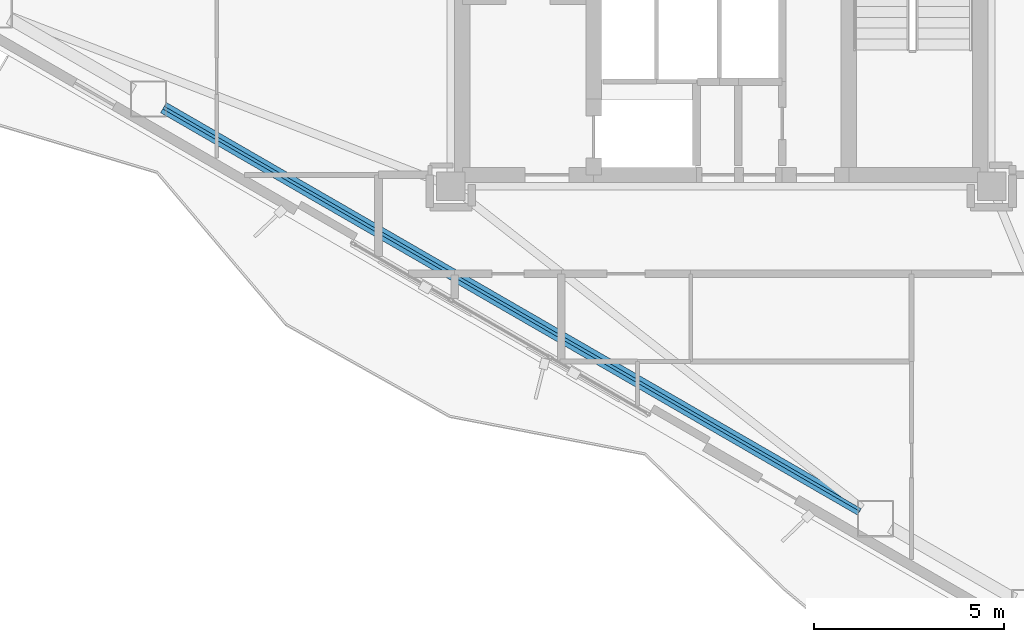
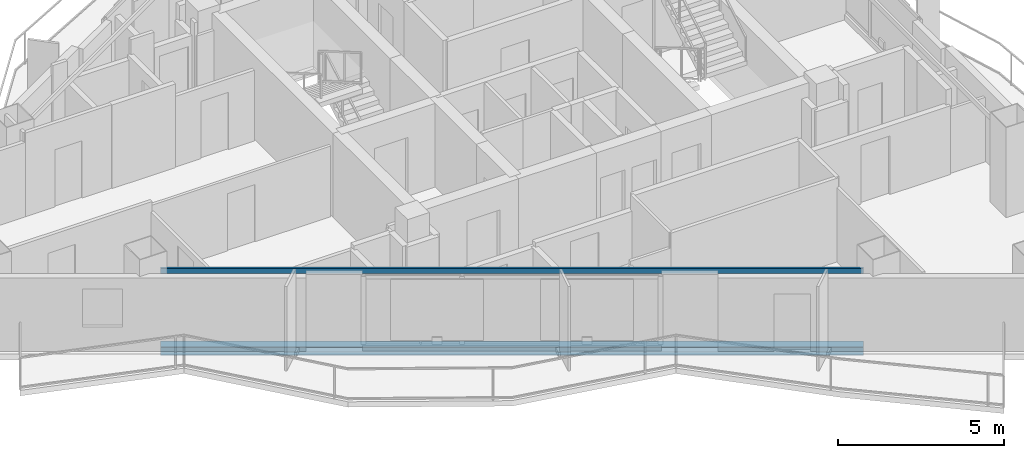
# One storey, part 3 of 22: 2 beams.
"""IFC4 building model written with IfcOpenShell, lengths in metres."""

import ifcopenshell
import ifcopenshell.guid

model = None  # the IFC model being written
_history = None  # IfcOwnerHistory: only IFC2X3 demands one
_inside = {}  # id of a spatial element -> (the spatial element, [elements in it])
_under = {}  # id of a project, library or spatial element -> (it, [spatial elements below it])
_declared = {}  # id of a project -> (the project, [libraries it declares])
_typed = {}  # id of a type object -> (the type object, [elements of that type])
_made_of = {}  # id of a material, layer set ... -> (it, [elements and type objects made of it])


def new_model(schema):
    """Start an empty IFC model of exactly this schema.

    Asked for "IFC4X3", IfcOpenShell would pick the latest addendum, in which some entities
    have other attributes; the version numbers below select the first issue.
    IFC2X3 requires an IfcOwnerHistory on every rooted entity: one is made here for all.
    """
    global model, _history
    if schema == "IFC4X3":
        model = ifcopenshell.file(schema_version=(4, 3, 0, 0))
    else:
        model = ifcopenshell.file(schema=schema)
    _inside.clear()
    _under.clear()
    _declared.clear()
    _typed.clear()
    _made_of.clear()
    _history = None
    if model.schema == "IFC2X3":
        org = make("IfcOrganization", Name="unknown")
        user = make(
            "IfcPersonAndOrganization",
            ThePerson=make("IfcPerson", FamilyName="unknown"),
            TheOrganization=org,
        )
        app = make(
            "IfcApplication",
            ApplicationDeveloper=org,
            Version="unknown",
            ApplicationFullName="unknown",
            ApplicationIdentifier="unknown",
        )
        _history = make(
            "IfcOwnerHistory",
            OwningUser=user,
            OwningApplication=app,
            ChangeAction="ADDED",
            CreationDate=0,
        )
    return model


def make(cls, **values):
    """One entity of the class cls with the attributes given. An attribute that is None is left unset."""
    return model.create_entity(
        cls, **{name: value for name, value in values.items() if value is not None}
    )


def rooted(cls, **values):
    """An entity with a GlobalId (a new one), such as an element, a storey or a relation."""
    return make(cls, GlobalId=ifcopenshell.guid.new(), OwnerHistory=_history, **values)


def si_unit(unit_type, name, prefix=None):
    """IfcSIUnit, for example si_unit("LENGTHUNIT", "METRE", prefix="MILLI")."""
    return make("IfcSIUnit", UnitType=unit_type, Prefix=prefix, Name=name)


def assignment(units):
    """IfcUnitAssignment: the units of a project."""
    return None if units is None else make("IfcUnitAssignment", Units=units)


def point(xyz):
    """IfcCartesianPoint."""
    return None if xyz is None else make("IfcCartesianPoint", Coordinates=xyz)


def direction(xyz):
    """IfcDirection."""
    return None if xyz is None else make("IfcDirection", DirectionRatios=xyz)


def frame(location, z_axis=None, x_axis=None):
    """IfcAxis2Placement3D, a coordinate frame: its origin and axes. An axis left out is left unset."""
    return make(
        "IfcAxis2Placement3D",
        Location=point(location),
        Axis=direction(z_axis),
        RefDirection=direction(x_axis),
    )


def frame_2d(location, x_axis=None):
    """IfcAxis2Placement2D, a coordinate frame in the plane: its origin and x axis."""
    return make(
        "IfcAxis2Placement2D", Location=point(location), RefDirection=direction(x_axis)
    )


def origin():
    """The frame at (0, 0, 0) with its axes left unset."""
    return frame((0.0, 0.0, 0.0))


def origin_2d():
    """The frame at (0, 0) in the plane with its x axis left unset."""
    return frame_2d((0.0, 0.0))


def place(relative_to, where):
    """IfcLocalPlacement: puts the frame where relative to a parent placement (None: the world)."""
    return make(
        "IfcLocalPlacement", PlacementRelTo=relative_to, RelativePlacement=where
    )


def context(
    kind, dimensions, precision=None, world=None, true_north=None, identifier=None
):
    """IfcGeometricRepresentationContext, for example the 3D "Model" context."""
    return make(
        "IfcGeometricRepresentationContext",
        ContextIdentifier=identifier,
        ContextType=kind,
        CoordinateSpaceDimension=dimensions,
        Precision=precision,
        WorldCoordinateSystem=world,
        TrueNorth=true_north,
    )


def subcontext(parent, identifier, kind, view, scale=None):
    """IfcGeometricRepresentationSubContext, for example "Body" below "Model"."""
    return make(
        "IfcGeometricRepresentationSubContext",
        ContextIdentifier=identifier,
        ContextType=kind,
        ParentContext=parent,
        TargetScale=scale,
        TargetView=view,
    )


def project(units=None, contexts=None):
    """IfcProject with its units and contexts."""
    return rooted(
        "IfcProject",
        Name="project",
        RepresentationContexts=contexts,
        UnitsInContext=assignment(units),
    )


def spatial(cls, under=None, at=None, **own):
    """A site, building, storey or space (cls), placed at a placement, below another one or the project."""
    s = rooted(cls, ObjectPlacement=at, **own)
    if under is not None:
        _under.setdefault(under.id(), (under, []))[1].append(s)
    return s


def profile(cls, at=None, kind="AREA", **sizes):
    """A parametric profile (cls). Its sizes go by their IFC names, for example OverallWidth=200.0."""
    return make(cls, ProfileType=kind, Position=at, **sizes)


def hollow_rectangle(**sizes):
    """IfcRectangleHollowProfileDef."""
    return profile("IfcRectangleHollowProfileDef", **sizes)


def i_section(**sizes):
    """IfcIShapeProfileDef."""
    return profile("IfcIShapeProfileDef", **sizes)


def extrude(swept, where, along, depth):
    """IfcExtrudedAreaSolid: the profile swept, set in the frame where, extruded along a direction by depth."""
    return make(
        "IfcExtrudedAreaSolid",
        SweptArea=swept,
        Position=where,
        ExtrudedDirection=direction(along),
        Depth=depth,
    )


def shape(context_of_items, identifier, shape_type, items):
    """IfcShapeRepresentation: the items that make up one representation, for example the "Body"."""
    return make(
        "IfcShapeRepresentation",
        ContextOfItems=context_of_items,
        RepresentationIdentifier=identifier,
        RepresentationType=shape_type,
        Items=items,
    )


def material(Name=None, Category=None):
    """IfcMaterial."""
    return make("IfcMaterial", Name=Name, Category=Category)


def material_profile(
    of_material, cross_section, Name=None, Category=None, Priority=None
):
    """IfcMaterialProfile: a cross section and its material."""
    return make(
        "IfcMaterialProfile",
        Name=Name,
        Material=of_material,
        Profile=cross_section,
        Priority=Priority,
        Category=Category,
    )


def profile_set(profiles, Name=None, composite=None):
    """IfcMaterialProfileSet."""
    return make(
        "IfcMaterialProfileSet",
        Name=Name,
        MaterialProfiles=profiles,
        CompositeProfile=composite,
    )


def made_of(thing, what):
    """Note that an element or type object is made of a material, layer set ...; save() writes the relation."""
    if what is not None:
        _made_of.setdefault(what.id(), (what, []))[1].append(thing)
    return thing


def type_object(cls, material=None, **own):
    """A type object (cls), such as IfcWallType, which elements share."""
    return made_of(rooted(cls, **own), material)


def element(
    cls,
    number,
    at=None,
    inside=None,
    cuts=None,
    type_object=None,
    material=None,
    context=None,
    identifier="Body",
    shape_type=None,
    held_by="IfcProductDefinitionShape",
    body=None,
    shapes=None,
    **own,
):
    """One element of the class cls, such as IfcWall. Its Tag is "e" and its number.

    at: its placement. inside: the storey or other place that contains it. cuts: it is an
    opening in that element (IfcRelVoidsElement). A single representation is given by context,
    identifier, shape_type and body (its items); several are given by shapes. held_by: the class
    of the entity that holds the representations. save() writes the other relations.
    """
    e = rooted(cls, Tag="e%d" % number, ObjectPlacement=at, **own)
    if body is not None:
        shapes = [shape(context, identifier, shape_type, body)]
    if shapes is not None:
        e.Representation = make(held_by, Representations=shapes)
    if inside is not None:
        _inside.setdefault(inside.id(), (inside, []))[1].append(e)
    if cuts is not None:
        rooted(
            "IfcRelVoidsElement", RelatingBuildingElement=cuts, RelatedOpeningElement=e
        )
    if type_object is not None:
        _typed.setdefault(type_object.id(), (type_object, []))[1].append(e)
    return made_of(e, material)


def aggregate(whole, parts):
    """IfcRelAggregates: a whole, such as a stair, and the parts it consists of."""
    return rooted("IfcRelAggregates", RelatingObject=whole, RelatedObjects=parts)


def save(model, path):
    """Write the relations noted so far, then the file.

    IfcRelAggregates (storeys below a building ...), IfcRelContainedInSpatialStructure (elements
    in a storey), IfcRelDefinesByType, IfcRelAssociatesMaterial and IfcRelDeclares: one each for
    every whole, place, type object, material and project.
    """
    for whole, parts in _under.values():
        aggregate(whole, parts)
    for where, things in _inside.values():
        rooted(
            "IfcRelContainedInSpatialStructure",
            RelatedElements=things,
            RelatingStructure=where,
        )
    for kind, things in _typed.values():
        rooted("IfcRelDefinesByType", RelatedObjects=things, RelatingType=kind)
    for what, things in _made_of.values():
        rooted("IfcRelAssociatesMaterial", RelatedObjects=things, RelatingMaterial=what)
    for by, libraries in _declared.values():
        rooted("IfcRelDeclares", RelatingContext=by, RelatedDefinitions=libraries)
    model.write(path)


model = new_model("IFC4")

# Units and contexts
model_context = context("Model", 3, precision=1e-05, world=origin(), true_north=direction((0.0, 1.0)))
body_context = subcontext(model_context, "Body", "Model", "MODEL_VIEW")
ifc_project = project(units=[si_unit("LENGTHUNIT", "METRE"), si_unit("AREAUNIT", "SQUARE_METRE"), si_unit("VOLUMEUNIT", "CUBIC_METRE"), si_unit("PLANEANGLEUNIT", "RADIAN"), si_unit("MASSUNIT", "GRAM", prefix="KILO")], contexts=[model_context])

# Site, building, storey
site_placement = place(None, origin())
site = spatial("IfcSite", under=ifc_project, at=site_placement, CompositionType="ELEMENT")
building_placement = place(site_placement, origin())
building = spatial("IfcBuilding", under=site, at=building_placement, Name="Mersakhor Tower and Convention Hall", CompositionType="ELEMENT")
storey_placement = place(building_placement, frame((0.0, 0.0, 188.699951171875)))
storey = spatial("IfcBuildingStorey", under=building, at=storey_placement, Name="L52", CompositionType="ELEMENT", Elevation=188.699951171875)

# Beams
ifc_material_1 = material(Name="Steel S355", Category="steel")
ifc_material_profile_1 = material_profile(ifc_material_1, hollow_rectangle(XDim=0.080078125, YDim=0.179931640625, WallThickness=0.008056640625, at=origin_2d()), Name="RHS 180x80x8")
ifc_profile_set_1 = profile_set([ifc_material_profile_1], Name="Steel S355")
beam_type_1 = type_object("IfcBeamType", Name="BM-GRT-RHS180", PredefinedType="USERDEFINED", material=ifc_profile_set_1)
beam_1_placement = place(storey_placement, frame((32.65771484375, 11.949951171875, 2.47998046875), z_axis=(-0.866028813665, 0.499994093867, 0.0), x_axis=(-0.499994093867, -0.866028813665, 0.0)))
element("IfcBeam", 1, at=beam_1_placement, inside=storey, type_object=beam_type_1, Name="L52 Facade Support Girt GRT-F3", ObjectType="GIRT", PredefinedType="USERDEFINED", context=body_context, shape_type="SweptSolid", body=[
    extrude(hollow_rectangle(XDim=0.080078125, YDim=0.179931640625, WallThickness=0.008056640625, at=origin_2d()), origin(), (0.0, 0.0, 1.0), 21.135498046875),
])
ifc_material_2 = material(Name="Steel S355", Category="steel")
ifc_material_profile_2 = material_profile(ifc_material_2, i_section(OverallWidth=0.30908203125, OverallDepth=0.320556640625, WebThickness=0.013916015625, FlangeThickness=0.021728515625, at=origin_2d()), Name="UC 305x305x137")
ifc_profile_set_2 = profile_set([ifc_material_profile_2], Name="Steel S355")
beam_type_2 = type_object("IfcBeamType", Name="BM-SPD-UC305", PredefinedType="SPANDREL", material=ifc_profile_set_2)
beam_2_placement = place(storey_placement, frame((32.65771484375, 11.949951171875, -0.39013671875), z_axis=(-0.866028813665, 0.499994093867, 0.0), x_axis=(-0.499994093867, -0.866028813665, 0.0)))
element("IfcBeam", 2, at=beam_2_placement, inside=storey, type_object=beam_type_2, Name="L52 Perimeter Spandrel Beam SPB-10", PredefinedType="SPANDREL", context=body_context, shape_type="SweptSolid", body=[
    extrude(i_section(OverallWidth=0.30908203125, OverallDepth=0.320556640625, WebThickness=0.013916015625, FlangeThickness=0.021728515625, at=origin_2d()), origin(), (0.0, 0.0, 1.0), 21.135498046875),
])

save(model, "model.ifc")
